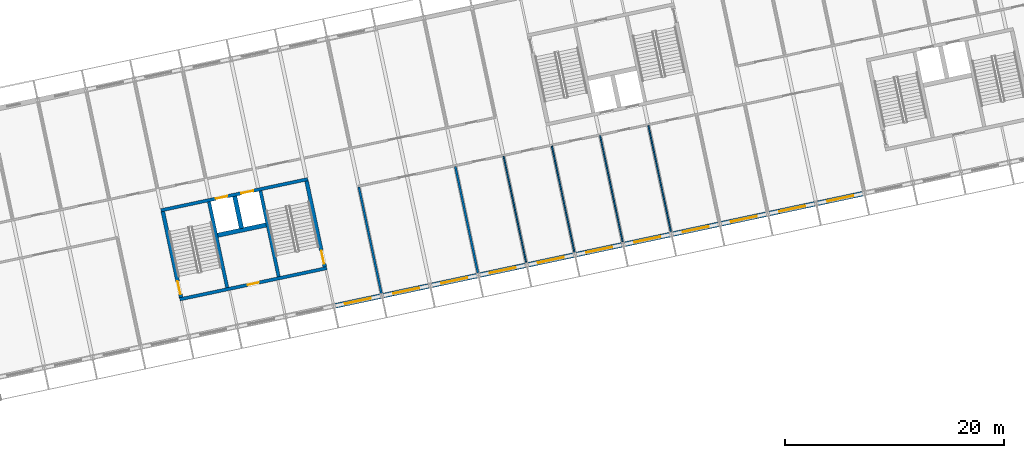
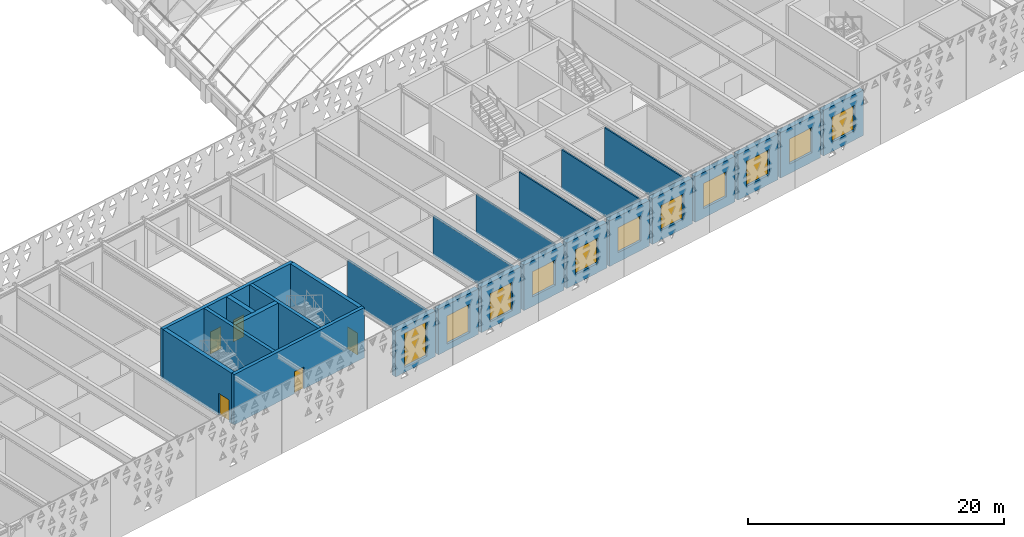
# One storey, part 130 of 182: 25 walls, 11 windows, 5 doors, 16 openings.
"""IFC4 building model written with IfcOpenShell, lengths in metres."""

from ifc_helpers import new_model, si_unit, direction, frame, frame_2d, origin, place, context, subcontext, project, spatial, rectangle, extrude, material, layer, layer_set, type_object, element, fill, save


model = new_model("IFC4")

# Units and contexts
model_context = context("Model", 3, precision=1e-05, world=origin(), true_north=direction((0.0, 1.0)))
body_context = subcontext(model_context, "Body", "Model", "MODEL_VIEW")
ifc_project = project(units=[si_unit("LENGTHUNIT", "METRE"), si_unit("AREAUNIT", "SQUARE_METRE"), si_unit("VOLUMEUNIT", "CUBIC_METRE"), si_unit("PLANEANGLEUNIT", "RADIAN"), si_unit("MASSUNIT", "GRAM", prefix="KILO")], contexts=[model_context])

# Site, building, storey
site_placement = place(None, origin())
site = spatial("IfcSite", under=ifc_project, at=site_placement, CompositionType="ELEMENT")
building_placement = place(site_placement, origin())
building = spatial("IfcBuilding", under=site, at=building_placement, Name="Okhra Congress Centre", CompositionType="ELEMENT")
storey_placement = place(building_placement, frame((0.0, 0.0, 7.199951171875)))
storey = spatial("IfcBuildingStorey", under=building, at=storey_placement, Name="L01", CompositionType="ELEMENT", Elevation=7.199951171875)

# Walls
ifc_material_1 = material(Name="Double gypsum board on steel studs with mineral wool", Category="steel")
ifc_layer_1 = layer(ifc_material_1, 0.199951171875)
ifc_layer_set_1 = layer_set([ifc_layer_1], Name="Acoustic partition 200")
wall_type_1 = type_object("IfcWallType", Name="Acoustic partition 200", PredefinedType="PARTITIONING", material=ifc_layer_set_1)
wall_1_placement = place(storey_placement, frame((153.399169921875, 46.677001953125, 0.0), z_axis=(0.0, 0.0, 1.0), x_axis=(-0.20790935802, 0.978148096582, 0.0)))
element("IfcWall", 1, at=wall_1_placement, inside=storey, type_object=wall_type_1, Name="Partition S L01", PredefinedType="PARTITIONING", context=body_context, shape_type="SweptSolid", body=[
    extrude(rectangle(XDim=9.9248046875, YDim=0.199951171875, at=frame_2d((4.96240234375, 0.0))), origin(), (0.0, 0.0, 1.0), 3.75),
])
wall_2_placement = place(storey_placement, frame((162.202392578125, 48.548095703125, 0.0), z_axis=(0.0, 0.0, 1.0), x_axis=(-0.207904355568, 0.978149159861, 0.0)))
element("IfcWall", 2, at=wall_2_placement, inside=storey, type_object=wall_type_1, Name="Partition S L01", PredefinedType="PARTITIONING", context=body_context, shape_type="SweptSolid", body=[
    extrude(rectangle(XDim=9.925048828125, YDim=0.199951171875, at=frame_2d((4.96240234375, 0.0))), origin(), (0.0, 0.0, 1.0), 3.75),
])

# Wall, opening, window
ifc_material_2 = material(Name="Insulated metal panel on steel stud (mineral wool, vapour barrier)", Category="steel")
ifc_layer_2 = layer(ifc_material_2, 0.449951171875)
ifc_layer_set_2 = layer_set([ifc_layer_2], Name="Insulated wall 450")
wall_type_2 = type_object("IfcWallType", Name="Insulated wall 450", PredefinedType="SOLIDWALL", material=ifc_layer_set_2)
wall_3_placement = place(storey_placement, frame((149.19091796875, 45.552490234375, 0.0), z_axis=(0.0, 0.0, 1.0), x_axis=(0.978146440129, 0.207917150959, 0.0)))
wall_3 = element("IfcWall", 3, at=wall_3_placement, inside=storey, type_object=wall_type_2, Name="External wall S21 L01", PredefinedType="SOLIDWALL", context=body_context, shape_type="SweptSolid", body=[
    extrude(rectangle(XDim=4.2001953125, YDim=0.449951171875, at=frame_2d((2.10009765625, 0.0))), origin(), (0.0, 0.0, 1.0), 4.35009765625),
])
opening_1_placement = place(wall_3_placement, frame((0.89990234375, 0.0, 0.449951171875)))
opening_1 = element("IfcOpeningElement", 4, at=opening_1_placement, cuts=wall_3, Name="Opening WN21", PredefinedType="OPENING", context=body_context, shape_type="SweptSolid", body=[
    extrude(rectangle(XDim=2.39990234375, YDim=3.300048828125, at=frame_2d((1.199951171875, 1.64990234375))), frame((0.0, 0.23486328125, 0.0), z_axis=(0.0, -1.0, 0.0), x_axis=(1.0, 0.0, 0.0)), (0.0, 0.0, 1.0), 0.469970703125),
])
ifc_material_3 = material(Name="Thermally broken aluminium frame, triple glazing", Category="aluminium")
window_type_1 = type_object("IfcWindowType", Name="Two-light window 2400x3300", PartitioningType="DOUBLE_PANEL_VERTICAL", PredefinedType="WINDOW", material=ifc_material_3)
window_1_placement = place(opening_1_placement, origin())
window_1 = element("IfcWindow", 5, at=window_1_placement, inside=storey, type_object=window_type_1, Name="BX.WIN.L01.21", OverallHeight=3.300048828125, OverallWidth=2.39990234375, PartitioningType="DOUBLE_PANEL_VERTICAL", PredefinedType="WINDOW", context=body_context, shape_type="SweptSolid", body=[
    extrude(rectangle(XDim=2.39990234375, YDim=3.300048828125, at=frame_2d((1.199951171875, 1.64990234375))), frame((0.0, 0.030029296875, 0.0), z_axis=(0.0, -1.0, 0.0), x_axis=(1.0, 0.0, 0.0)), (0.0, 0.0, 1.0), 0.06005859375),
])
fill(opening_1, window_1)

wall_4_placement = place(storey_placement, frame((153.5927734375, 46.488037109375, 0.0), z_axis=(0.0, 0.0, 1.0), x_axis=(0.978143927149, 0.207928972925, 0.0)))
wall_4 = element("IfcWall", 6, at=wall_4_placement, inside=storey, type_object=wall_type_2, Name="External wall S22 L01", PredefinedType="SOLIDWALL", context=body_context, shape_type="SweptSolid", body=[
    extrude(rectangle(XDim=4.199951171875, YDim=0.449951171875, at=frame_2d((2.10009765625, 0.0))), origin(), (0.0, 0.0, 1.0), 4.35009765625),
])
opening_2_placement = place(wall_4_placement, frame((0.89990234375, 0.0, 0.60009765625)))
opening_2 = element("IfcOpeningElement", 7, at=opening_2_placement, cuts=wall_4, Name="Opening WN23", PredefinedType="OPENING", context=body_context, shape_type="SweptSolid", body=[
    extrude(rectangle(XDim=2.39990234375, YDim=2.699951171875, at=frame_2d((1.199951171875, 1.35009765625))), frame((0.0, 0.23486328125, 0.0), z_axis=(0.0, -1.0, 0.0), x_axis=(1.0, 0.0, 0.0)), (0.0, 0.0, 1.0), 0.469970703125),
])
window_type_2 = type_object("IfcWindowType", Name="Casement window 2400x2700", PartitioningType="SINGLE_PANEL", PredefinedType="WINDOW", material=ifc_material_3)
window_2_placement = place(opening_2_placement, origin())
window_2 = element("IfcWindow", 8, at=window_2_placement, inside=storey, type_object=window_type_2, Name="BX.WIN.L01.22", OverallHeight=2.699951171875, OverallWidth=2.39990234375, PartitioningType="SINGLE_PANEL", PredefinedType="WINDOW", context=body_context, shape_type="SweptSolid", body=[
    extrude(rectangle(XDim=2.39990234375, YDim=2.699951171875, at=frame_2d((1.199951171875, 1.35009765625))), frame((0.0, 0.030029296875, 0.0), z_axis=(0.0, -1.0, 0.0), x_axis=(1.0, 0.0, 0.0)), (0.0, 0.0, 1.0), 0.06005859375),
])
fill(opening_2, window_2)

wall_5_placement = place(storey_placement, frame((157.994384765625, 47.423583984375, 0.0), z_axis=(0.0, 0.0, 1.0), x_axis=(0.978143927149, 0.207928972925, 0.0)))
wall_5 = element("IfcWall", 9, at=wall_5_placement, inside=storey, type_object=wall_type_2, Name="External wall S23 L01", PredefinedType="SOLIDWALL", context=body_context, shape_type="SweptSolid", body=[
    extrude(rectangle(XDim=4.199951171875, YDim=0.449951171875, at=frame_2d((2.10009765625, 0.0))), origin(), (0.0, 0.0, 1.0), 4.35009765625),
])
opening_3_placement = place(wall_5_placement, frame((0.89990234375, 0.0, 0.60009765625)))
opening_3 = element("IfcOpeningElement", 10, at=opening_3_placement, cuts=wall_5, Name="Opening WN23", PredefinedType="OPENING", context=body_context, shape_type="SweptSolid", body=[
    extrude(rectangle(XDim=2.39990234375, YDim=2.699951171875, at=frame_2d((1.199951171875, 1.35009765625))), frame((0.0, 0.23486328125, 0.0), z_axis=(0.0, -1.0, 0.0), x_axis=(1.0, 0.0, 0.0)), (0.0, 0.0, 1.0), 0.469970703125),
])
window_3_placement = place(opening_3_placement, origin())
window_3 = element("IfcWindow", 11, at=window_3_placement, inside=storey, type_object=window_type_2, Name="BX.WIN.L01.23", OverallHeight=2.699951171875, OverallWidth=2.39990234375, PartitioningType="SINGLE_PANEL", PredefinedType="WINDOW", context=body_context, shape_type="SweptSolid", body=[
    extrude(rectangle(XDim=2.39990234375, YDim=2.699951171875, at=frame_2d((1.199951171875, 1.35009765625))), frame((0.0, 0.030029296875, 0.0), z_axis=(0.0, -1.0, 0.0), x_axis=(1.0, 0.0, 0.0)), (0.0, 0.0, 1.0), 0.06005859375),
])
fill(opening_3, window_3)

wall_6_placement = place(storey_placement, frame((162.39599609375, 48.359375, 0.0), z_axis=(0.0, 0.0, 1.0), x_axis=(0.978155748334, 0.207873355681, 0.0)))
wall_6 = element("IfcWall", 12, at=wall_6_placement, inside=storey, type_object=wall_type_2, Name="External wall S24 L01", PredefinedType="SOLIDWALL", context=body_context, shape_type="SweptSolid", body=[
    extrude(rectangle(XDim=4.199951171875, YDim=0.449951171875, at=frame_2d((2.10009765625, 0.0))), origin(), (0.0, 0.0, 1.0), 4.35009765625),
])
opening_4_placement = place(wall_6_placement, frame((0.89990234375, 0.0, 0.89990234375)))
opening_4 = element("IfcOpeningElement", 13, at=opening_4_placement, cuts=wall_6, Name="Opening WN22", PredefinedType="OPENING", context=body_context, shape_type="SweptSolid", body=[
    extrude(rectangle(XDim=2.39990234375, YDim=2.39990234375, at=frame_2d((1.199951171875, 1.199951171875))), frame((0.0, 0.23486328125, 0.0), z_axis=(0.0, -1.0, 0.0), x_axis=(1.0, 0.0, 0.0)), (0.0, 0.0, 1.0), 0.469970703125),
])
window_type_3 = type_object("IfcWindowType", Name="Fixed window 2400x2400", PartitioningType="SINGLE_PANEL", PredefinedType="WINDOW", material=ifc_material_3)
window_4_placement = place(opening_4_placement, origin())
window_4 = element("IfcWindow", 14, at=window_4_placement, inside=storey, type_object=window_type_3, Name="BX.WIN.L01.24", OverallHeight=2.39990234375, OverallWidth=2.39990234375, PartitioningType="SINGLE_PANEL", PredefinedType="WINDOW", context=body_context, shape_type="SweptSolid", body=[
    extrude(rectangle(XDim=2.39990234375, YDim=2.39990234375, at=frame_2d((1.199951171875, 1.199951171875))), frame((0.0, 0.030029296875, 0.0), z_axis=(0.0, -1.0, 0.0), x_axis=(1.0, 0.0, 0.0)), (0.0, 0.0, 1.0), 0.06005859375),
])
fill(opening_4, window_4)

wall_7_placement = place(storey_placement, frame((166.797607421875, 49.294921875, 0.0), z_axis=(0.0, 0.0, 1.0), x_axis=(0.978143927149, 0.207928972925, 0.0)))
wall_7 = element("IfcWall", 15, at=wall_7_placement, inside=storey, type_object=wall_type_2, Name="External wall S25 L01", PredefinedType="SOLIDWALL", context=body_context, shape_type="SweptSolid", body=[
    extrude(rectangle(XDim=4.199951171875, YDim=0.449951171875, at=frame_2d((2.10009765625, 0.0))), origin(), (0.0, 0.0, 1.0), 4.35009765625),
])
opening_5_placement = place(wall_7_placement, frame((0.89990234375, 0.0, 0.89990234375)))
opening_5 = element("IfcOpeningElement", 16, at=opening_5_placement, cuts=wall_7, Name="Opening WN22", PredefinedType="OPENING", context=body_context, shape_type="SweptSolid", body=[
    extrude(rectangle(XDim=2.39990234375, YDim=2.39990234375, at=frame_2d((1.199951171875, 1.199951171875))), frame((0.0, 0.23486328125, 0.0), z_axis=(0.0, -1.0, 0.0), x_axis=(1.0, 0.0, 0.0)), (0.0, 0.0, 1.0), 0.469970703125),
])
window_5_placement = place(opening_5_placement, origin())
window_5 = element("IfcWindow", 17, at=window_5_placement, inside=storey, type_object=window_type_3, Name="BX.WIN.L01.25", OverallHeight=2.39990234375, OverallWidth=2.39990234375, PartitioningType="SINGLE_PANEL", PredefinedType="WINDOW", context=body_context, shape_type="SweptSolid", body=[
    extrude(rectangle(XDim=2.39990234375, YDim=2.39990234375, at=frame_2d((1.199951171875, 1.199951171875))), frame((0.0, 0.030029296875, 0.0), z_axis=(0.0, -1.0, 0.0), x_axis=(1.0, 0.0, 0.0)), (0.0, 0.0, 1.0), 0.06005859375),
])
fill(opening_5, window_5)

wall_8_placement = place(storey_placement, frame((171.19921875, 50.23046875, 0.0), z_axis=(0.0, 0.0, 1.0), x_axis=(0.978146440129, 0.207917150959, 0.0)))
wall_8 = element("IfcWall", 18, at=wall_8_placement, inside=storey, type_object=wall_type_2, Name="External wall S26 L01", PredefinedType="SOLIDWALL", context=body_context, shape_type="SweptSolid", body=[
    extrude(rectangle(XDim=4.2001953125, YDim=0.449951171875, at=frame_2d((2.10009765625, 0.0))), origin(), (0.0, 0.0, 1.0), 4.35009765625),
])
opening_6_placement = place(wall_8_placement, frame((0.89990234375, 0.0, 0.89990234375)))
opening_6 = element("IfcOpeningElement", 19, at=opening_6_placement, cuts=wall_8, Name="Opening WN22", PredefinedType="OPENING", context=body_context, shape_type="SweptSolid", body=[
    extrude(rectangle(XDim=2.39990234375, YDim=2.39990234375, at=frame_2d((1.199951171875, 1.199951171875))), frame((0.0, 0.23486328125, 0.0), z_axis=(0.0, -1.0, 0.0), x_axis=(1.0, 0.0, 0.0)), (0.0, 0.0, 1.0), 0.469970703125),
])
window_6_placement = place(opening_6_placement, origin())
window_6 = element("IfcWindow", 20, at=window_6_placement, inside=storey, type_object=window_type_3, Name="BX.WIN.L01.26", OverallHeight=2.39990234375, OverallWidth=2.39990234375, PartitioningType="SINGLE_PANEL", PredefinedType="WINDOW", context=body_context, shape_type="SweptSolid", body=[
    extrude(rectangle(XDim=2.39990234375, YDim=2.39990234375, at=frame_2d((1.199951171875, 1.199951171875))), frame((0.0, 0.030029296875, 0.0), z_axis=(0.0, -1.0, 0.0), x_axis=(1.0, 0.0, 0.0)), (0.0, 0.0, 1.0), 0.06005859375),
])
fill(opening_6, window_6)

wall_9_placement = place(storey_placement, frame((175.60107421875, 51.166015625, 0.0), z_axis=(0.0, 0.0, 1.0), x_axis=(0.978143927149, 0.207928972925, 0.0)))
wall_9 = element("IfcWall", 21, at=wall_9_placement, inside=storey, type_object=wall_type_2, Name="External wall S27 L01", PredefinedType="SOLIDWALL", context=body_context, shape_type="SweptSolid", body=[
    extrude(rectangle(XDim=4.199951171875, YDim=0.449951171875, at=frame_2d((2.10009765625, 0.0))), origin(), (0.0, 0.0, 1.0), 4.35009765625),
])
opening_7_placement = place(wall_9_placement, frame((0.89990234375, 0.0, 0.89990234375)))
opening_7 = element("IfcOpeningElement", 22, at=opening_7_placement, cuts=wall_9, Name="Opening WN22", PredefinedType="OPENING", context=body_context, shape_type="SweptSolid", body=[
    extrude(rectangle(XDim=2.39990234375, YDim=2.39990234375, at=frame_2d((1.199951171875, 1.199951171875))), frame((0.0, 0.23486328125, 0.0), z_axis=(0.0, -1.0, 0.0), x_axis=(1.0, 0.0, 0.0)), (0.0, 0.0, 1.0), 0.469970703125),
])
window_7_placement = place(opening_7_placement, origin())
window_7 = element("IfcWindow", 23, at=window_7_placement, inside=storey, type_object=window_type_3, Name="BX.WIN.L01.27", OverallHeight=2.39990234375, OverallWidth=2.39990234375, PartitioningType="SINGLE_PANEL", PredefinedType="WINDOW", context=body_context, shape_type="SweptSolid", body=[
    extrude(rectangle(XDim=2.39990234375, YDim=2.39990234375, at=frame_2d((1.199951171875, 1.199951171875))), frame((0.0, 0.030029296875, 0.0), z_axis=(0.0, -1.0, 0.0), x_axis=(1.0, 0.0, 0.0)), (0.0, 0.0, 1.0), 0.06005859375),
])
fill(opening_7, window_7)

wall_10_placement = place(storey_placement, frame((180.002685546875, 52.101806640625, 0.0), z_axis=(0.0, 0.0, 1.0), x_axis=(0.978155748334, 0.207873355681, 0.0)))
wall_10 = element("IfcWall", 24, at=wall_10_placement, inside=storey, type_object=wall_type_2, Name="External wall S28 L01", PredefinedType="SOLIDWALL", context=body_context, shape_type="SweptSolid", body=[
    extrude(rectangle(XDim=4.199951171875, YDim=0.449951171875, at=frame_2d((2.10009765625, 0.0))), origin(), (0.0, 0.0, 1.0), 4.35009765625),
])
opening_8_placement = place(wall_10_placement, frame((0.89990234375, 0.0, 0.89990234375)))
opening_8 = element("IfcOpeningElement", 25, at=opening_8_placement, cuts=wall_10, Name="Opening WN22", PredefinedType="OPENING", context=body_context, shape_type="SweptSolid", body=[
    extrude(rectangle(XDim=2.39990234375, YDim=2.39990234375, at=frame_2d((1.199951171875, 1.199951171875))), frame((0.0, 0.23486328125, 0.0), z_axis=(0.0, -1.0, 0.0), x_axis=(1.0, 0.0, 0.0)), (0.0, 0.0, 1.0), 0.469970703125),
])
window_8_placement = place(opening_8_placement, origin())
window_8 = element("IfcWindow", 26, at=window_8_placement, inside=storey, type_object=window_type_3, Name="BX.WIN.L01.28", OverallHeight=2.39990234375, OverallWidth=2.39990234375, PartitioningType="SINGLE_PANEL", PredefinedType="WINDOW", context=body_context, shape_type="SweptSolid", body=[
    extrude(rectangle(XDim=2.39990234375, YDim=2.39990234375, at=frame_2d((1.199951171875, 1.199951171875))), frame((0.0, 0.030029296875, 0.0), z_axis=(0.0, -1.0, 0.0), x_axis=(1.0, 0.0, 0.0)), (0.0, 0.0, 1.0), 0.06005859375),
])
fill(opening_8, window_8)

wall_11_placement = place(storey_placement, frame((184.404296875, 53.037353515625, 0.0), z_axis=(0.0, 0.0, 1.0), x_axis=(0.978143927149, 0.207928972925, 0.0)))
wall_11 = element("IfcWall", 27, at=wall_11_placement, inside=storey, type_object=wall_type_2, Name="External wall S29 L01", PredefinedType="SOLIDWALL", context=body_context, shape_type="SweptSolid", body=[
    extrude(rectangle(XDim=4.199951171875, YDim=0.449951171875, at=frame_2d((2.10009765625, 0.0))), origin(), (0.0, 0.0, 1.0), 4.35009765625),
])
opening_9_placement = place(wall_11_placement, frame((0.89990234375, 0.0, 0.89990234375)))
opening_9 = element("IfcOpeningElement", 28, at=opening_9_placement, cuts=wall_11, Name="Opening WN22", PredefinedType="OPENING", context=body_context, shape_type="SweptSolid", body=[
    extrude(rectangle(XDim=2.39990234375, YDim=2.39990234375, at=frame_2d((1.199951171875, 1.199951171875))), frame((0.0, 0.23486328125, 0.0), z_axis=(0.0, -1.0, 0.0), x_axis=(1.0, 0.0, 0.0)), (0.0, 0.0, 1.0), 0.469970703125),
])
window_9_placement = place(opening_9_placement, origin())
window_9 = element("IfcWindow", 29, at=window_9_placement, inside=storey, type_object=window_type_3, Name="BX.WIN.L01.29", OverallHeight=2.39990234375, OverallWidth=2.39990234375, PartitioningType="SINGLE_PANEL", PredefinedType="WINDOW", context=body_context, shape_type="SweptSolid", body=[
    extrude(rectangle(XDim=2.39990234375, YDim=2.39990234375, at=frame_2d((1.199951171875, 1.199951171875))), frame((0.0, 0.030029296875, 0.0), z_axis=(0.0, -1.0, 0.0), x_axis=(1.0, 0.0, 0.0)), (0.0, 0.0, 1.0), 0.06005859375),
])
fill(opening_9, window_9)

wall_12_placement = place(storey_placement, frame((188.805908203125, 53.972900390625, 0.0), z_axis=(0.0, 0.0, 1.0), x_axis=(0.978146440129, 0.207917150959, 0.0)))
wall_12 = element("IfcWall", 30, at=wall_12_placement, inside=storey, type_object=wall_type_2, Name="External wall S30 L01", PredefinedType="SOLIDWALL", context=body_context, shape_type="SweptSolid", body=[
    extrude(rectangle(XDim=4.2001953125, YDim=0.449951171875, at=frame_2d((2.10009765625, 0.0))), origin(), (0.0, 0.0, 1.0), 4.35009765625),
])
opening_10_placement = place(wall_12_placement, frame((0.89990234375, 0.0, 0.89990234375)))
opening_10 = element("IfcOpeningElement", 31, at=opening_10_placement, cuts=wall_12, Name="Opening WN22", PredefinedType="OPENING", context=body_context, shape_type="SweptSolid", body=[
    extrude(rectangle(XDim=2.39990234375, YDim=2.39990234375, at=frame_2d((1.199951171875, 1.199951171875))), frame((0.0, 0.23486328125, 0.0), z_axis=(0.0, -1.0, 0.0), x_axis=(1.0, 0.0, 0.0)), (0.0, 0.0, 1.0), 0.469970703125),
])
window_10_placement = place(opening_10_placement, origin())
window_10 = element("IfcWindow", 32, at=window_10_placement, inside=storey, type_object=window_type_3, Name="BX.WIN.L01.30", OverallHeight=2.39990234375, OverallWidth=2.39990234375, PartitioningType="SINGLE_PANEL", PredefinedType="WINDOW", context=body_context, shape_type="SweptSolid", body=[
    extrude(rectangle(XDim=2.39990234375, YDim=2.39990234375, at=frame_2d((1.199951171875, 1.199951171875))), frame((0.0, 0.030029296875, 0.0), z_axis=(0.0, -1.0, 0.0), x_axis=(1.0, 0.0, 0.0)), (0.0, 0.0, 1.0), 0.06005859375),
])
fill(opening_10, window_10)

wall_13_placement = place(storey_placement, frame((193.20751953125, 54.908447265625, 0.0), z_axis=(0.0, 0.0, 1.0), x_axis=(0.978146440129, 0.207917150959, 0.0)))
wall_13 = element("IfcWall", 33, at=wall_13_placement, inside=storey, type_object=wall_type_2, Name="External wall S31 L01", PredefinedType="SOLIDWALL", context=body_context, shape_type="SweptSolid", body=[
    extrude(rectangle(XDim=4.2001953125, YDim=0.449951171875, at=frame_2d((2.10009765625, 0.0))), origin(), (0.0, 0.0, 1.0), 4.35009765625),
])
opening_11_placement = place(wall_13_placement, frame((0.89990234375, 0.0, 0.89990234375)))
opening_11 = element("IfcOpeningElement", 34, at=opening_11_placement, cuts=wall_13, Name="Opening WN22", PredefinedType="OPENING", context=body_context, shape_type="SweptSolid", body=[
    extrude(rectangle(XDim=2.39990234375, YDim=2.39990234375, at=frame_2d((1.199951171875, 1.199951171875))), frame((0.0, 0.23486328125, 0.0), z_axis=(0.0, -1.0, 0.0), x_axis=(1.0, 0.0, 0.0)), (0.0, 0.0, 1.0), 0.469970703125),
])
window_11_placement = place(opening_11_placement, origin())
window_11 = element("IfcWindow", 35, at=window_11_placement, inside=storey, type_object=window_type_3, Name="BX.WIN.L01.31", OverallHeight=2.39990234375, OverallWidth=2.39990234375, PartitioningType="SINGLE_PANEL", PredefinedType="WINDOW", context=body_context, shape_type="SweptSolid", body=[
    extrude(rectangle(XDim=2.39990234375, YDim=2.39990234375, at=frame_2d((1.199951171875, 1.199951171875))), frame((0.0, 0.030029296875, 0.0), z_axis=(0.0, -1.0, 0.0), x_axis=(1.0, 0.0, 0.0)), (0.0, 0.0, 1.0), 0.06005859375),
])
fill(opening_11, window_11)

# Walls
ifc_material_4 = material(Name="Gypsum board on steel studs", Category="steel")
ifc_layer_3 = layer(ifc_material_4, 0.125)
ifc_layer_set_3 = layer_set([ifc_layer_3], Name="Partition 125")
wall_type_3 = type_object("IfcWallType", Name="Partition 125", PredefinedType="PARTITIONING", material=ifc_layer_set_3)
wall_14_placement = place(storey_placement, frame((166.604248046875, 49.48388671875, 0.0), z_axis=(0.0, 0.0, 1.0), x_axis=(-0.207932893358, 0.978143093754, 0.0)))
element("IfcWall", 36, at=wall_14_placement, inside=storey, type_object=wall_type_3, Name="Partition S L01", PredefinedType="PARTITIONING", context=body_context, shape_type="SweptSolid", body=[
    extrude(rectangle(XDim=9.925048828125, YDim=0.125, at=frame_2d((4.96240234375, 0.0))), origin(), (0.0, 0.0, 1.0), 3.75),
])
for number, where, z_axis, x_axis, name in (
    (37, (171.005859375, 50.41943359375, 0.0), (0.0, 0.0, 1.0), (-0.20790935802, 0.978148096582, 0.0), "Partition S L01"),
    (38, (175.407470703125, 51.35498046875, 0.0), (0.0, 0.0, 1.0), (-0.20790935802, 0.978148096582, 0.0), "Partition S L01"),
):
    element("IfcWall", number, at=place(storey_placement, frame(where, z_axis=z_axis, x_axis=x_axis)), inside=storey, type_object=wall_type_3, Name=name, PredefinedType="PARTITIONING", context=body_context, shape_type="SweptSolid", body=[
        extrude(rectangle(XDim=9.9248046875, YDim=0.125, at=frame_2d((4.96240234375, 0.0))), origin(), (0.0, 0.0, 1.0), 3.75),
    ])
wall_15_placement = place(storey_placement, frame((179.80908203125, 52.29052734375, 0.0), z_axis=(0.0, 0.0, 1.0), x_axis=(-0.207904355568, 0.978149159861, 0.0)))
element("IfcWall", 39, at=wall_15_placement, inside=storey, type_object=wall_type_3, Name="Partition S L01", PredefinedType="PARTITIONING", context=body_context, shape_type="SweptSolid", body=[
    extrude(rectangle(XDim=9.925048828125, YDim=0.125, at=frame_2d((4.96240234375, 0.0))), origin(), (0.0, 0.0, 1.0), 3.75),
])

# Wall, opening, door
ifc_material_5 = material(Name="Concrete C35/45", Category="concrete")
ifc_layer_4 = layer(ifc_material_5, 0.300048828125)
ifc_layer_set_4 = layer_set([ifc_layer_4], Name="RC core wall 300 REI 120 C35/45")
wall_type_4 = type_object("IfcWallType", Name="RC core wall 300 REI 120 C35/45", PredefinedType="SHEAR", material=ifc_layer_set_4)
wall_16_placement = place(storey_placement, frame((135.008544921875, 46.1416015625, 0.0), z_axis=(0.0, 0.0, 1.0), x_axis=(0.978147662755, 0.20791139903, 0.0)))
wall_16 = element("IfcWall", 40, at=wall_16_placement, inside=storey, type_object=wall_type_4, Name="BX.WALL.L01.K3S", PredefinedType="SHEAR", context=body_context, shape_type="SweptSolid", body=[
    extrude(rectangle(XDim=13.699951171875, YDim=0.300048828125, at=frame_2d((6.85009765625, 0.0))), origin(), (0.0, 0.0, 1.0), 4.800048828125),
])
opening_12_placement = place(wall_16_placement, frame((6.35009765625, 0.0, 0.0)))
opening_12 = element("IfcOpeningElement", 41, at=opening_12_placement, cuts=wall_16, Name="Opening L01-111", PredefinedType="OPENING", context=body_context, shape_type="SweptSolid", body=[
    extrude(rectangle(XDim=1.0, YDim=2.10009765625, at=frame_2d((0.5, 1.050048828125))), frame((0.0, 0.159912109375, 0.0), z_axis=(0.0, -1.0, 0.0), x_axis=(1.0, 0.0, 0.0)), (0.0, 0.0, 1.0), 0.320068359375),
])
ifc_material_6 = material(Name="Steel fire door leaf in steel frame, intumescent seals", Category="steel")
door_type_1 = type_object("IfcDoorType", Name="Steel fire door 1000x2100 EI 30", OperationType="NOTDEFINED", PredefinedType="DOOR", material=ifc_material_6)
door_1_placement = place(opening_12_placement, origin())
door_1 = element("IfcDoor", 42, at=door_1_placement, inside=storey, type_object=door_type_1, Name="Door L01-111", OperationType="SINGLE_SWING_RIGHT", OverallHeight=2.10009765625, OverallWidth=1.0, PredefinedType="DOOR", context=body_context, shape_type="SweptSolid", body=[
    extrude(rectangle(XDim=1.0, YDim=2.10009765625, at=frame_2d((0.5, 1.050048828125))), frame((0.0, 0.02490234375, 0.0), z_axis=(0.0, -1.0, 0.0), x_axis=(1.0, 0.0, 0.0)), (0.0, 0.0, 1.0), 0.050048828125),
])
fill(opening_12, door_1)

# Wall, openings, doors
wall_17_placement = place(storey_placement, frame((133.282958984375, 54.26025390625, 0.0), z_axis=(0.0, 0.0, 1.0), x_axis=(0.978147662755, 0.20791139903, 0.0)))
wall_17 = element("IfcWall", 43, at=wall_17_placement, inside=storey, type_object=wall_type_4, Name="BX.WALL.L01.K3T", PredefinedType="SHEAR", context=body_context, shape_type="SweptSolid", body=[
    extrude(rectangle(XDim=13.699951171875, YDim=0.300048828125, at=frame_2d((6.85009765625, 0.0))), origin(), (0.0, 0.0, 1.0), 4.800048828125),
])
opening_13_placement = place(wall_17_placement, frame((5.10009765625, 0.0, 0.0)))
opening_13 = element("IfcOpeningElement", 44, at=opening_13_placement, cuts=wall_17, Name="Opening L01-107", PredefinedType="OPENING", context=body_context, shape_type="SweptSolid", body=[
    extrude(rectangle(XDim=1.10009765625, YDim=2.10009765625, at=frame_2d((0.550048828125, 1.050048828125))), frame((0.0, 0.159912109375, 0.0), z_axis=(0.0, -1.0, 0.0), x_axis=(1.0, 0.0, 0.0)), (0.0, 0.0, 1.0), 0.320068359375),
])
opening_14_placement = place(wall_17_placement, frame((7.5, 0.0, 0.0)))
opening_14 = element("IfcOpeningElement", 45, at=opening_14_placement, cuts=wall_17, Name="Opening L01-108", PredefinedType="OPENING", context=body_context, shape_type="SweptSolid", body=[
    extrude(rectangle(XDim=1.10009765625, YDim=2.10009765625, at=frame_2d((0.550048828125, 1.050048828125))), frame((0.0, 0.159912109375, 0.0), z_axis=(0.0, -1.0, 0.0), x_axis=(1.0, 0.0, 0.0)), (0.0, 0.0, 1.0), 0.320068359375),
])
ifc_material_7 = material(Name="Stainless steel sliding landing door leaves", Category="steel")
door_type_2 = type_object("IfcDoorType", Name="Lift landing door 1100x2100 EI 30", OperationType="DOUBLE_DOOR_SLIDING", PredefinedType="DOOR", material=ifc_material_7)
door_2_placement = place(opening_13_placement, origin())
door_2 = element("IfcDoor", 46, at=door_2_placement, inside=storey, type_object=door_type_2, Name="Door L01-107", OperationType="DOUBLE_DOOR_SLIDING", OverallHeight=2.10009765625, OverallWidth=1.10009765625, PredefinedType="DOOR", context=body_context, shape_type="SweptSolid", body=[
    extrude(rectangle(XDim=1.10009765625, YDim=2.10009765625, at=frame_2d((0.550048828125, 1.050048828125))), frame((0.0, 0.02490234375, 0.0), z_axis=(0.0, -1.0, 0.0), x_axis=(1.0, 0.0, 0.0)), (0.0, 0.0, 1.0), 0.050048828125),
])
fill(opening_13, door_2)
door_3_placement = place(opening_14_placement, origin())
door_3 = element("IfcDoor", 47, at=door_3_placement, inside=storey, type_object=door_type_2, Name="Door L01-108", OperationType="DOUBLE_DOOR_SLIDING", OverallHeight=2.10009765625, OverallWidth=1.10009765625, PredefinedType="DOOR", context=body_context, shape_type="SweptSolid", body=[
    extrude(rectangle(XDim=1.10009765625, YDim=2.10009765625, at=frame_2d((0.550048828125, 1.050048828125))), frame((0.0, 0.02490234375, 0.0), z_axis=(0.0, -1.0, 0.0), x_axis=(1.0, 0.0, 0.0)), (0.0, 0.0, 1.0), 0.050048828125),
])
fill(opening_14, door_3)

# Walls
for number, where, z_axis, x_axis, name in (
    (48, (139.330078125, 47.213623046875, 0.0), (0.0, 0.0, 1.0), (-0.207915693476, 0.978146749934, 0.0), "BX.WALL.L01.K3P1"),
    (49, (144.025146484375, 48.211669921875, 0.0), (0.0, 0.0, 1.0), (-0.207886494942, 0.978152955943, 0.0), "BX.WALL.L01.K3P2"),
):
    element("IfcWall", number, at=place(storey_placement, frame(where, z_axis=z_axis, x_axis=x_axis)), inside=storey, type_object=wall_type_4, Name=name, PredefinedType="SHEAR", context=body_context, shape_type="SweptSolid", body=[
        extrude(rectangle(XDim=8.0, YDim=0.300048828125, at=frame_2d((4.0, 0.0))), origin(), (0.0, 0.0, 1.0), 4.800048828125),
    ])
ifc_layer_5 = layer(ifc_material_5, 0.39990234375)
ifc_layer_set_5 = layer_set([ifc_layer_5], Name="RC core wall 400 REI 120 C35/45")
wall_type_5 = type_object("IfcWallType", Name="RC core wall 400 REI 120 C35/45", PredefinedType="SHEAR", material=ifc_layer_set_5)
wall_18_placement = place(storey_placement, frame((140.63818359375, 52.603271484375, 0.0), z_axis=(0.0, 0.0, 1.0), x_axis=(-0.207917150959, 0.978146440129, 0.0)))
element("IfcWall", 50, at=wall_18_placement, inside=storey, type_object=wall_type_5, Name="BX.WALL.L01.K3D", PredefinedType="SHEAR", context=body_context, shape_type="SweptSolid", body=[
    extrude(rectangle(XDim=3.000244140625, YDim=0.39990234375, at=frame_2d((1.5, 0.0))), origin(), (0.0, 0.0, 1.0), 4.800048828125),
])
wall_19_placement = place(storey_placement, frame((138.468505859375, 51.98876953125, 0.0), z_axis=(0.0, 0.0, 1.0), x_axis=(0.978149611564, 0.20790223038, 0.0)))
element("IfcWall", 51, at=wall_19_placement, inside=storey, type_object=wall_type_5, Name="BX.WALL.L01.K3R", PredefinedType="SHEAR", context=body_context, shape_type="SweptSolid", body=[
    extrude(rectangle(XDim=4.5, YDim=0.39990234375, at=frame_2d((2.25, 0.0))), origin(), (0.0, 0.0, 1.0), 4.800048828125),
])

# Wall, opening, door
ifc_material_8 = material(Name="Concrete C30/37", Category="concrete")
ifc_layer_6 = layer(ifc_material_8, 0.35009765625)
ifc_layer_set_6 = layer_set([ifc_layer_6], Name="RC wall 350 REI 120 C30/37")
wall_type_6 = type_object("IfcWallType", Name="RC wall 350 REI 120 C30/37", PredefinedType="SOLIDWALL", material=ifc_layer_set_6)
wall_20_placement = place(storey_placement, frame((135.1240234375, 46.319580078125, 0.0), z_axis=(0.0, 0.0, 1.0), x_axis=(-0.207886494942, 0.978152955943, 0.0)))
wall_20 = element("IfcWall", 52, at=wall_20_placement, inside=storey, type_object=wall_type_6, Name="BX.WALL.L01.K3W", PredefinedType="SOLIDWALL", context=body_context, shape_type="SweptSolid", body=[
    extrude(rectangle(XDim=8.0, YDim=0.35009765625, at=frame_2d((4.0, 0.0))), origin(), (0.0, 0.0, 1.0), 4.800048828125),
])
opening_15_placement = place(wall_20_placement, frame((0.300048828125, 0.0, 0.0)))
opening_15 = element("IfcOpeningElement", 53, at=opening_15_placement, cuts=wall_20, Name="Opening L01-109", PredefinedType="OPENING", context=body_context, shape_type="SweptSolid", body=[
    extrude(rectangle(XDim=1.199951171875, YDim=2.10009765625, at=frame_2d((0.60009765625, 1.050048828125))), frame((0.0, 0.18505859375, 0.0), z_axis=(0.0, -1.0, 0.0), x_axis=(1.0, 0.0, 0.0)), (0.0, 0.0, 1.0), 0.3701171875),
])
door_type_3 = type_object("IfcDoorType", Name="Steel fire door 1200x2100 EI 30", OperationType="NOTDEFINED", PredefinedType="DOOR", material=ifc_material_6)
door_4_placement = place(opening_15_placement, origin())
door_4 = element("IfcDoor", 54, at=door_4_placement, inside=storey, type_object=door_type_3, Name="Door L01-109", OperationType="SINGLE_SWING_LEFT", OverallHeight=2.10009765625, OverallWidth=1.199951171875, PredefinedType="DOOR", context=body_context, shape_type="SweptSolid", body=[
    extrude(rectangle(XDim=1.199951171875, YDim=2.10009765625, at=frame_2d((0.60009765625, 1.050048828125))), frame((0.0, 0.02490234375, 0.0), z_axis=(0.0, -1.0, 0.0), x_axis=(1.0, 0.0, 0.0)), (0.0, 0.0, 1.0), 0.050048828125),
])
fill(opening_15, door_4)

wall_21_placement = place(storey_placement, frame((148.231201171875, 49.10546875, 0.0), z_axis=(0.0, 0.0, 1.0), x_axis=(-0.207886494942, 0.978152955943, 0.0)))
wall_21 = element("IfcWall", 55, at=wall_21_placement, inside=storey, type_object=wall_type_6, Name="BX.WALL.L01.K3E", PredefinedType="SOLIDWALL", context=body_context, shape_type="SweptSolid", body=[
    extrude(rectangle(XDim=8.0, YDim=0.35009765625, at=frame_2d((4.0, 0.0))), origin(), (0.0, 0.0, 1.0), 4.800048828125),
])
opening_16_placement = place(wall_21_placement, frame((0.300048828125, 0.0, 0.0)))
opening_16 = element("IfcOpeningElement", 56, at=opening_16_placement, cuts=wall_21, Name="Opening L01-110", PredefinedType="OPENING", context=body_context, shape_type="SweptSolid", body=[
    extrude(rectangle(XDim=1.199951171875, YDim=2.10009765625, at=frame_2d((0.60009765625, 1.050048828125))), frame((0.0, 0.18505859375, 0.0), z_axis=(0.0, -1.0, 0.0), x_axis=(1.0, 0.0, 0.0)), (0.0, 0.0, 1.0), 0.3701171875),
])
door_5_placement = place(opening_16_placement, frame((1.199951171875, 0.0, 0.0), z_axis=(0.0, 0.0, 1.0), x_axis=(-1.0, 0.0, 0.0)))
door_5 = element("IfcDoor", 57, at=door_5_placement, inside=storey, type_object=door_type_3, Name="Door L01-110", OperationType="SINGLE_SWING_LEFT", OverallHeight=2.10009765625, OverallWidth=1.199951171875, PredefinedType="DOOR", context=body_context, shape_type="SweptSolid", body=[
    extrude(rectangle(XDim=1.199951171875, YDim=2.10009765625, at=frame_2d((0.60009765625, 1.050048828125))), frame((0.0, 0.02490234375, 0.0), z_axis=(0.0, -1.0, 0.0), x_axis=(1.0, 0.0, 0.0)), (0.0, 0.0, 1.0), 0.050048828125),
])
fill(opening_16, door_5)

save(model, "model.ifc")
